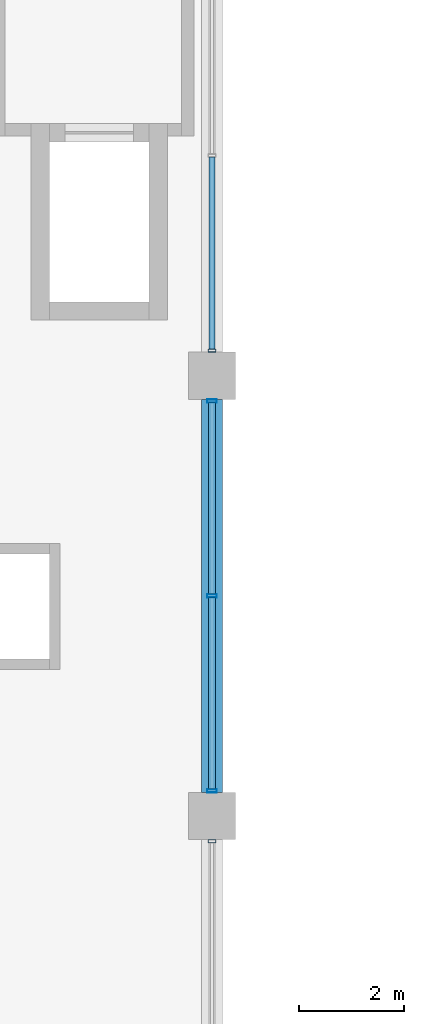
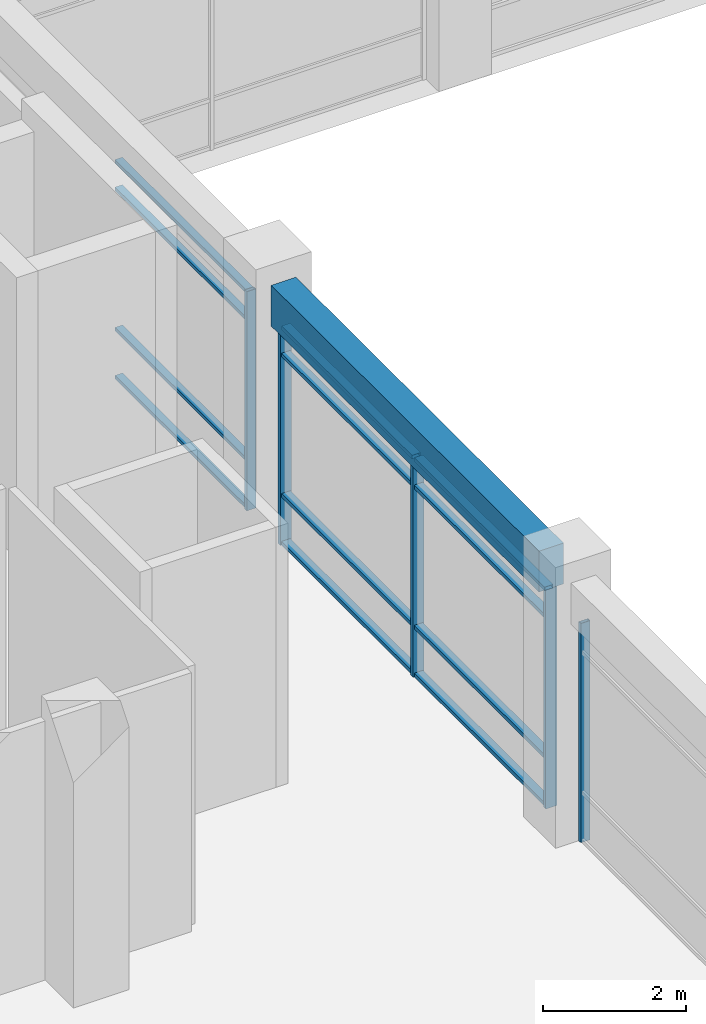
# One storey, part 7 of 79: 17 members, 1 beam, 3 elements without a shape of their own.
"""IFC4 building model written with IfcOpenShell, lengths in metres."""

from ifc_helpers import new_model, si_unit, direction, frame, origin, origin_2d, place, context, subcontext, project, spatial, rectangle, hollow_rectangle, extrude, material, material_profile, profile_set, type_object, element, aggregate, save


model = new_model("IFC4")

# Units and contexts
model_context = context("Model", 3, precision=1e-05, world=origin(), true_north=direction((0.0, 1.0)))
body_context = subcontext(model_context, "Body", "Model", "MODEL_VIEW")
ifc_project = project(units=[si_unit("LENGTHUNIT", "METRE"), si_unit("AREAUNIT", "SQUARE_METRE"), si_unit("VOLUMEUNIT", "CUBIC_METRE"), si_unit("PLANEANGLEUNIT", "RADIAN"), si_unit("MASSUNIT", "GRAM", prefix="KILO"), si_unit("THERMODYNAMICTEMPERATUREUNIT", "KELVIN"), si_unit("POWERUNIT", "WATT")], contexts=[model_context])

# Site, building, storey
site_placement = place(None, origin())
site = spatial("IfcSite", under=ifc_project, at=site_placement, CompositionType="ELEMENT")
building_placement = place(site_placement, origin())
building = spatial("IfcBuilding", under=site, at=building_placement, Name="Srebrne Nadtorze General Hospital", CompositionType="ELEMENT")
storey_placement = place(building_placement, frame((0.0, 0.0, 4.800048828125)))
storey = spatial("IfcBuildingStorey", under=building, at=storey_placement, Name="L01", CompositionType="ELEMENT", Elevation=4.800048828125)

# Curtain wall, member
ifc_material_1 = material(Name="Anodised Aluminium", Category="aluminium")
curtain_wall_type = type_object("IfcCurtainWallType", Name="Unitised curtain wall 7500x3750", PredefinedType="NOTDEFINED", material=ifc_material_1)
curtain_wall_1_placement = place(storey_placement, origin())
curtain_wall_1 = element("IfcCurtainWall", 1, at=curtain_wall_1_placement, inside=storey, type_object=curtain_wall_type, Name="Curtain wall CW-056", PredefinedType="NOTDEFINED")
ifc_material_2 = material(Name="Anodised Aluminium", Category="aluminium")
ifc_material_profile_1 = material_profile(ifc_material_2, hollow_rectangle(XDim=0.06005859375, YDim=0.14990234375, WallThickness=0.00390625, at=origin_2d()), Name="AL-MUL-60x150")
ifc_profile_set_1 = profile_set([ifc_material_profile_1], Name="Anodised Aluminium")
member_type_1 = type_object("IfcMemberType", Name="Curtain mullion 60x150", PredefinedType="MULLION", material=ifc_profile_set_1)
member_1_placement = place(storey_placement, frame((54.60009765625, 33.1201171875, 0.0), z_axis=(0.0, 0.0, 1.0), x_axis=(0.0, 1.0, 0.0)))
member_1 = element("IfcMember", 2, at=member_1_placement, type_object=member_type_1, Name="CW-056 mullion 3", PredefinedType="MULLION", context=body_context, shape_type="SweptSolid", body=[
    extrude(hollow_rectangle(XDim=0.06005859375, YDim=0.14990234375, WallThickness=0.00390625, at=origin_2d()), origin(), (0.0, 0.0, 1.0), 3.75),
])
aggregate(curtain_wall_1, [member_1])

curtain_wall_2_placement = place(storey_placement, origin())
curtain_wall_2 = element("IfcCurtainWall", 3, at=curtain_wall_2_placement, inside=storey, type_object=curtain_wall_type, Name="Curtain wall CW-058", PredefinedType="NOTDEFINED")
member_2_placement = place(storey_placement, frame((54.60009765625, 42.47998046875, 0.0), z_axis=(0.0, 0.0, 1.0), x_axis=(0.0, 1.0, 0.0)))
member_2 = element("IfcMember", 4, at=member_2_placement, type_object=member_type_1, Name="CW-058 mullion 1", PredefinedType="MULLION", context=body_context, shape_type="SweptSolid", body=[
    extrude(hollow_rectangle(XDim=0.06005859375, YDim=0.14990234375, WallThickness=0.00390625, at=origin_2d()), origin(), (0.0, 0.0, 1.0), 3.75),
])

# Curtain wall, members
curtain_wall_3_placement = place(storey_placement, origin())
curtain_wall_3 = element("IfcCurtainWall", 5, at=curtain_wall_3_placement, inside=storey, type_object=curtain_wall_type, Name="Curtain wall CW-057", PredefinedType="NOTDEFINED")
ifc_material_3 = material(Name="Anodised Aluminium", Category="aluminium")
ifc_material_profile_2 = material_profile(ifc_material_3, hollow_rectangle(XDim=0.06494140625, YDim=0.179931640625, WallThickness=0.00390625, at=origin_2d()), Name="AL-MUL-65x180")
ifc_profile_set_2 = profile_set([ifc_material_profile_2], Name="Anodised Aluminium")
member_type_2 = type_object("IfcMemberType", Name="Curtain mullion 65x180", PredefinedType="MULLION", material=ifc_profile_set_2)
member_3_placement = place(storey_placement, frame((54.60009765625, 34.08251953125, 0.0), z_axis=(0.0, 0.0, 1.0), x_axis=(0.0, 1.0, 0.0)))
member_3 = element("IfcMember", 6, at=member_3_placement, type_object=member_type_2, Name="CW-057 mullion 1", PredefinedType="MULLION", context=body_context, shape_type="SweptSolid", body=[
    extrude(hollow_rectangle(XDim=0.06494140625, YDim=0.179931640625, WallThickness=0.00390625, at=origin_2d()), origin(), (0.0, 0.0, 1.0), 3.75),
])
member_4_placement = place(storey_placement, frame((54.60009765625, 37.800048828125, 0.0), z_axis=(0.0, 0.0, 1.0), x_axis=(0.0, 1.0, 0.0)))
member_4 = element("IfcMember", 7, at=member_4_placement, type_object=member_type_2, Name="CW-057 mullion 2", PredefinedType="MULLION", context=body_context, shape_type="SweptSolid", body=[
    extrude(hollow_rectangle(XDim=0.06494140625, YDim=0.179931640625, WallThickness=0.00390625, at=origin_2d()), origin(), (0.0, 0.0, 1.0), 3.75),
])
member_5_placement = place(storey_placement, frame((54.60009765625, 41.517578125, 0.0), z_axis=(0.0, 0.0, 1.0), x_axis=(0.0, 1.0, 0.0)))
member_5 = element("IfcMember", 8, at=member_5_placement, type_object=member_type_2, Name="CW-057 mullion 3", PredefinedType="MULLION", context=body_context, shape_type="SweptSolid", body=[
    extrude(hollow_rectangle(XDim=0.06494140625, YDim=0.179931640625, WallThickness=0.00390625, at=origin_2d()), origin(), (0.0, 0.0, 1.0), 3.75),
])

# Member
ifc_material_4 = material(Name="Anodised Aluminium", Category="aluminium")
ifc_material_profile_3 = material_profile(ifc_material_4, hollow_rectangle(XDim=0.06005859375, YDim=0.1201171875, WallThickness=0.00390625, at=origin_2d()), Name="AL-TRN-60x120")
ifc_profile_set_3 = profile_set([ifc_material_profile_3], Name="Anodised Aluminium")
member_type_3 = type_object("IfcMemberType", Name="Curtain transom 60x120", PredefinedType="USERDEFINED", material=ifc_profile_set_3)
member_6_placement = place(storey_placement, frame((54.60009765625, 42.510009765625, 0.030029296875), z_axis=(0.0, 1.0, 0.0), x_axis=(0.0, 0.0, 1.0)))
member_6 = element("IfcMember", 9, at=member_6_placement, type_object=member_type_3, Name="CW-058 transom 1.1", ObjectType="TRANSOM", PredefinedType="USERDEFINED", context=body_context, shape_type="SweptSolid", body=[
    extrude(hollow_rectangle(XDim=0.06005859375, YDim=0.1201171875, WallThickness=0.00390625, at=origin_2d()), origin(), (0.0, 0.0, 1.0), 3.659912109375),
])

member_7_placement = place(storey_placement, frame((54.60009765625, 42.510009765625, 0.849853515625), z_axis=(0.0, 1.0, 0.0), x_axis=(0.0, 0.0, 1.0)))
member_7 = element("IfcMember", 10, at=member_7_placement, type_object=member_type_3, Name="CW-058 transom 1.2", ObjectType="TRANSOM", PredefinedType="USERDEFINED", context=body_context, shape_type="SweptSolid", body=[
    extrude(hollow_rectangle(XDim=0.06005859375, YDim=0.1201171875, WallThickness=0.00390625, at=origin_2d()), origin(), (0.0, 0.0, 1.0), 3.659912109375),
])

member_8_placement = place(storey_placement, frame((54.60009765625, 42.510009765625, 3.25), z_axis=(0.0, 1.0, 0.0), x_axis=(0.0, 0.0, 1.0)))
member_8 = element("IfcMember", 11, at=member_8_placement, type_object=member_type_3, Name="CW-058 transom 1.3", ObjectType="TRANSOM", PredefinedType="USERDEFINED", context=body_context, shape_type="SweptSolid", body=[
    extrude(hollow_rectangle(XDim=0.06005859375, YDim=0.1201171875, WallThickness=0.00390625, at=origin_2d()), origin(), (0.0, 0.0, 1.0), 3.659912109375),
])

member_9_placement = place(storey_placement, frame((54.60009765625, 42.510009765625, 3.719970703125), z_axis=(0.0, 1.0, 0.0), x_axis=(0.0, 0.0, 1.0)))
member_9 = element("IfcMember", 12, at=member_9_placement, type_object=member_type_3, Name="CW-058 transom 1.4", ObjectType="TRANSOM", PredefinedType="USERDEFINED", context=body_context, shape_type="SweptSolid", body=[
    extrude(hollow_rectangle(XDim=0.06005859375, YDim=0.1201171875, WallThickness=0.00390625, at=origin_2d()), origin(), (0.0, 0.0, 1.0), 3.659912109375),
])

aggregate(curtain_wall_2, [member_2, member_6, member_7, member_8, member_9])

ifc_material_5 = material(Name="Anodised Aluminium", Category="aluminium")
ifc_material_profile_4 = material_profile(ifc_material_5, hollow_rectangle(XDim=0.06494140625, YDim=0.139892578125, WallThickness=0.00390625, at=origin_2d()), Name="AL-TRN-65x140")
ifc_profile_set_4 = profile_set([ifc_material_profile_4], Name="Anodised Aluminium")
member_type_4 = type_object("IfcMemberType", Name="Curtain transom 65x140", PredefinedType="USERDEFINED", material=ifc_profile_set_4)
member_10_placement = place(storey_placement, frame((54.60009765625, 34.114990234375, 0.032470703125), z_axis=(0.0, 1.0, 0.0), x_axis=(0.0, 0.0, 1.0)))
member_10 = element("IfcMember", 13, at=member_10_placement, type_object=member_type_4, Name="CW-057 transom 1.1", ObjectType="TRANSOM", PredefinedType="USERDEFINED", context=body_context, shape_type="SweptSolid", body=[
    extrude(hollow_rectangle(XDim=0.06494140625, YDim=0.139892578125, WallThickness=0.00390625, at=origin_2d()), origin(), (0.0, 0.0, 1.0), 3.652587890625),
])

member_11_placement = place(storey_placement, frame((54.60009765625, 34.114990234375, 0.849853515625), z_axis=(0.0, 1.0, 0.0), x_axis=(0.0, 0.0, 1.0)))
member_11 = element("IfcMember", 14, at=member_11_placement, type_object=member_type_4, Name="CW-057 transom 1.2", ObjectType="TRANSOM", PredefinedType="USERDEFINED", context=body_context, shape_type="SweptSolid", body=[
    extrude(hollow_rectangle(XDim=0.06494140625, YDim=0.139892578125, WallThickness=0.00390625, at=origin_2d()), origin(), (0.0, 0.0, 1.0), 3.652587890625),
])

member_12_placement = place(storey_placement, frame((54.60009765625, 34.114990234375, 3.25), z_axis=(0.0, 1.0, 0.0), x_axis=(0.0, 0.0, 1.0)))
member_12 = element("IfcMember", 15, at=member_12_placement, type_object=member_type_4, Name="CW-057 transom 1.3", ObjectType="TRANSOM", PredefinedType="USERDEFINED", context=body_context, shape_type="SweptSolid", body=[
    extrude(hollow_rectangle(XDim=0.06494140625, YDim=0.139892578125, WallThickness=0.00390625, at=origin_2d()), origin(), (0.0, 0.0, 1.0), 3.652587890625),
])

member_13_placement = place(storey_placement, frame((54.60009765625, 34.114990234375, 3.717529296875), z_axis=(0.0, 1.0, 0.0), x_axis=(0.0, 0.0, 1.0)))
member_13 = element("IfcMember", 16, at=member_13_placement, type_object=member_type_4, Name="CW-057 transom 1.4", ObjectType="TRANSOM", PredefinedType="USERDEFINED", context=body_context, shape_type="SweptSolid", body=[
    extrude(hollow_rectangle(XDim=0.06494140625, YDim=0.139892578125, WallThickness=0.00390625, at=origin_2d()), origin(), (0.0, 0.0, 1.0), 3.652587890625),
])

member_14_placement = place(storey_placement, frame((54.60009765625, 37.83251953125, 0.032470703125), z_axis=(0.0, 1.0, 0.0), x_axis=(0.0, 0.0, 1.0)))
member_14 = element("IfcMember", 17, at=member_14_placement, type_object=member_type_4, Name="CW-057 transom 2.1", ObjectType="TRANSOM", PredefinedType="USERDEFINED", context=body_context, shape_type="SweptSolid", body=[
    extrude(hollow_rectangle(XDim=0.06494140625, YDim=0.139892578125, WallThickness=0.00390625, at=origin_2d()), origin(), (0.0, 0.0, 1.0), 3.652587890625),
])

member_15_placement = place(storey_placement, frame((54.60009765625, 37.83251953125, 0.849853515625), z_axis=(0.0, 1.0, 0.0), x_axis=(0.0, 0.0, 1.0)))
member_15 = element("IfcMember", 18, at=member_15_placement, type_object=member_type_4, Name="CW-057 transom 2.2", ObjectType="TRANSOM", PredefinedType="USERDEFINED", context=body_context, shape_type="SweptSolid", body=[
    extrude(hollow_rectangle(XDim=0.06494140625, YDim=0.139892578125, WallThickness=0.00390625, at=origin_2d()), origin(), (0.0, 0.0, 1.0), 3.652587890625),
])

member_16_placement = place(storey_placement, frame((54.60009765625, 37.83251953125, 3.25), z_axis=(0.0, 1.0, 0.0), x_axis=(0.0, 0.0, 1.0)))
member_16 = element("IfcMember", 19, at=member_16_placement, type_object=member_type_4, Name="CW-057 transom 2.3", ObjectType="TRANSOM", PredefinedType="USERDEFINED", context=body_context, shape_type="SweptSolid", body=[
    extrude(hollow_rectangle(XDim=0.06494140625, YDim=0.139892578125, WallThickness=0.00390625, at=origin_2d()), origin(), (0.0, 0.0, 1.0), 3.652587890625),
])

member_17_placement = place(storey_placement, frame((54.60009765625, 37.83251953125, 3.717529296875), z_axis=(0.0, 1.0, 0.0), x_axis=(0.0, 0.0, 1.0)))
member_17 = element("IfcMember", 20, at=member_17_placement, type_object=member_type_4, Name="CW-057 transom 2.4", ObjectType="TRANSOM", PredefinedType="USERDEFINED", context=body_context, shape_type="SweptSolid", body=[
    extrude(hollow_rectangle(XDim=0.06494140625, YDim=0.139892578125, WallThickness=0.00390625, at=origin_2d()), origin(), (0.0, 0.0, 1.0), 3.652587890625),
])

aggregate(curtain_wall_3, [member_3, member_4, member_5, member_10, member_11, member_12, member_13, member_14, member_15, member_16, member_17])

# Beam
ifc_material_6 = material(Name="Concrete C40/50", Category="concrete")
ifc_material_profile_5 = material_profile(ifc_material_6, rectangle(XDim=0.39990234375, YDim=0.699951171875, at=origin_2d()), Name="RC-BM-400x700")
ifc_profile_set_5 = profile_set([ifc_material_profile_5], Name="Concrete C40/50")
beam_type = type_object("IfcBeamType", Name="Edge beam RC 400x700", PredefinedType="BEAM", material=ifc_profile_set_5)
beam_placement = place(storey_placement, frame((54.60009765625, 34.050048828125, 4.099853515625), z_axis=(0.0, 1.0, 0.0), x_axis=(-1.0, 0.0, 0.0)))
element("IfcBeam", 21, at=beam_placement, inside=storey, type_object=beam_type, Name="Beam BM-L01-Y-0494", PredefinedType="BEAM", context=body_context, shape_type="SweptSolid", body=[
    extrude(rectangle(XDim=0.39990234375, YDim=0.699951171875, at=origin_2d()), origin(), (0.0, 0.0, 1.0), 7.5),
])

save(model, "model.ifc")
